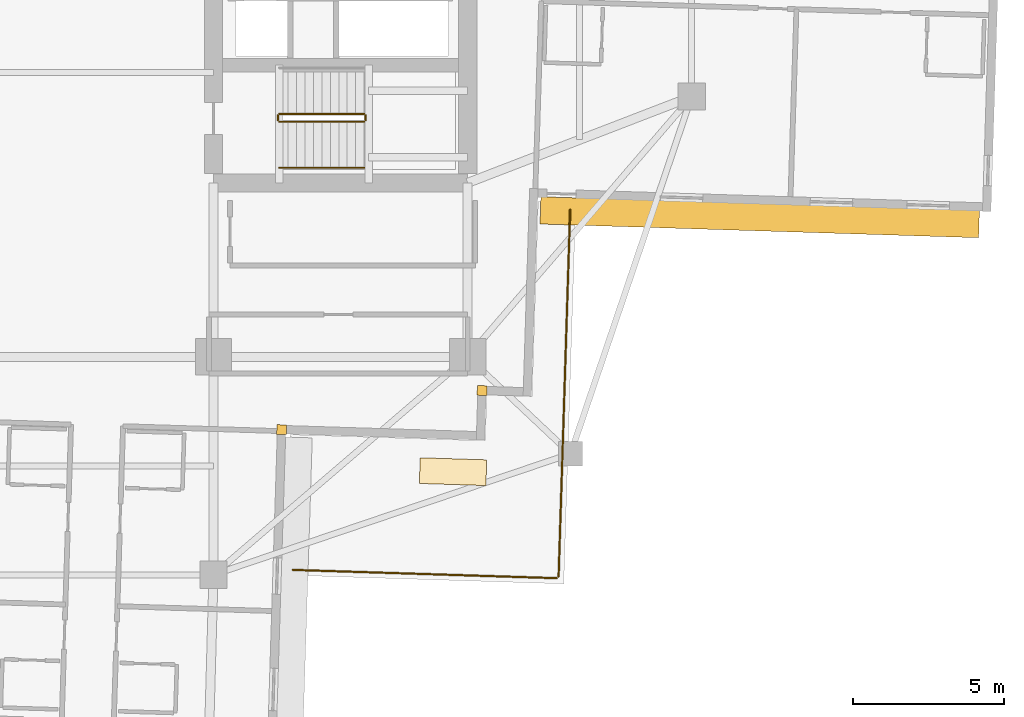
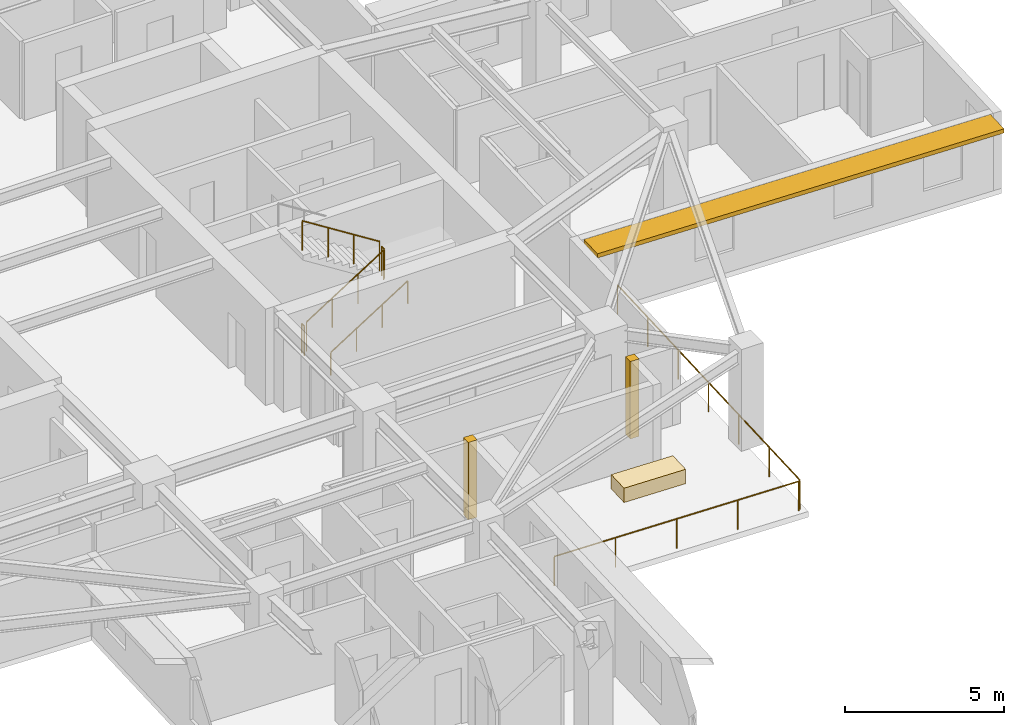
# One storey, part 12 of 14: 7 railings, 3 coverings, 1 shading device.
"""IFC4 building model written with IfcOpenShell, lengths in metres."""

from ifc_helpers import new_model, si_unit, direction, frame, origin, origin_2d, place, context, subcontext, project, spatial, rectangle, circle, extrude, material, layer, layer_set, type_object, element, save


model = new_model("IFC4")

# Units and contexts
model_context = context("Model", 3, precision=1e-05, world=origin(), true_north=direction((0.0, 1.0)))
body_context = subcontext(model_context, "Body", "Model", "MODEL_VIEW")
ifc_project = project(units=[si_unit("LENGTHUNIT", "METRE"), si_unit("AREAUNIT", "SQUARE_METRE"), si_unit("VOLUMEUNIT", "CUBIC_METRE"), si_unit("PLANEANGLEUNIT", "RADIAN"), si_unit("MASSUNIT", "GRAM", prefix="KILO")], contexts=[model_context])

# Site, building, storey
site_placement = place(None, origin())
site = spatial("IfcSite", under=ifc_project, at=site_placement, CompositionType="ELEMENT")
building_placement = place(site_placement, origin())
building = spatial("IfcBuilding", under=site, at=building_placement, Name="Qingluan Cross Belvedere", CompositionType="ELEMENT")
storey_placement = place(building_placement, frame((0.0, 0.0, 176.10009765625)))
storey = spatial("IfcBuildingStorey", under=building, at=storey_placement, Name="L44", CompositionType="ELEMENT", Elevation=176.10009765625)

# Coverings
ifc_material_1 = material(Name="Precast concrete C45", Category="concrete")
ifc_layer_1 = layer(ifc_material_1, 0.1201171875, Name="ConcreteSpandrelCladding_120")
ifc_layer_set_1 = layer_set([ifc_layer_1], Name="Precast concrete C45")
covering_type_1 = type_object("IfcCoveringType", Name="ConcreteSpandrelCladding_120", PredefinedType="CLADDING", material=ifc_layer_set_1)
for number, where, z_axis, x_axis, name in (
    (1, (12.875732421875, -13.711181640625, 0.0), (0.0, 0.0, 1.0), (0.999506560366, -0.031410759078, 0.0), "Corner closure L44-SE1"),
    (2, (6.251708984375, -15.00390625, 0.0), (0.0, 0.0, 1.0), (0.999506560366, -0.031410759078, 0.0), "Corner closure L44-SE2"),
):
    element("IfcCovering", number, at=place(storey_placement, frame(where, z_axis=z_axis, x_axis=x_axis)), inside=storey, type_object=covering_type_1, Name=name, PredefinedType="CLADDING", context=body_context, shape_type="SweptSolid", body=[
        extrude(rectangle(XDim=0.320068359375, YDim=0.320068359375, at=origin_2d()), origin(), (0.0, 0.0, 1.0), 2.969970703125),
    ])

# Shading device
ifc_material_2 = material(Name="Precast concrete C45", Category="concrete")
ifc_layer_2 = layer(ifc_material_2, 0.159912109375, Name="ConcreteSunshadeBand_900")
ifc_layer_set_2 = layer_set([ifc_layer_2], Name="Precast concrete C45")
shading_device_type = type_object("IfcShadingDeviceType", Name="ConcreteSunshadeBand_900", PredefinedType="USERDEFINED", material=ifc_layer_set_2)
shading_device_placement = place(storey_placement, frame((22.050048828125, -7.986572265625, 2.7900390625), z_axis=(0.0, 0.0, 1.0), x_axis=(0.999506645453, -0.031408051437, 0.0)))
element("IfcShadingDevice", 3, at=shading_device_placement, inside=storey, type_object=shading_device_type, Name="Concrete SUNSHADE L44-EA", ObjectType="SUNSHADE", PredefinedType="USERDEFINED", context=body_context, shape_type="SweptSolid", body=[
    extrude(rectangle(XDim=14.5, YDim=0.89990234375, at=origin_2d()), origin(), (0.0, 0.0, 1.0), 0.159912109375),
])

# Railings
ifc_material_3 = material(Name="Brushed stainless steel tubular handrail", Category="steel")
railing_type_1 = type_object("IfcRailingType", Name="StairPitchHandrail_900", PredefinedType="HANDRAIL", material=ifc_material_3)
railing_1_placement = place(storey_placement, frame((6.179931640625, -6.35009765625, 0.17724609375)))
element("IfcRailing", 4, at=railing_1_placement, inside=storey, type_object=railing_type_1, Name="L44 ST2 stair handrail 1", PredefinedType="HANDRAIL", context=body_context, shape_type="SweptSolid", body=[
    extrude(circle(Radius=0.02392578125, at=origin_2d()), frame((0.0, 0.0, 0.8759765625), z_axis=(0.844908973607, 0.0, 0.534910110503), x_axis=(0.0, 1.0, 0.0)), (0.0, 0.0, 1.0), 3.31396484375),
    extrude(circle(Radius=0.02099609375, at=origin_2d()), origin(), (0.0, 0.0, 1.0), 0.851806640625),
    extrude(circle(Radius=0.02099609375, at=origin_2d()), frame((0.933349609375, 0.0, 0.5908203125)), (0.0, 0.0, 1.0), 0.851806640625),
    extrude(circle(Radius=0.02099609375, at=origin_2d()), frame((1.86669921875, 0.0, 1.181884765625)), (0.0, 0.0, 1.0), 0.851806640625),
    extrude(circle(Radius=0.02099609375, at=origin_2d()), frame((2.800048828125, 0.0, 1.772705078125)), (0.0, 0.0, 1.0), 0.851806640625),
])
ifc_material_4 = material(Name="Painted steel stair well guard", Category="steel")
railing_type_2 = type_object("IfcRailingType", Name="StairWellGuard_1150", PredefinedType="BALUSTRADE", material=ifc_material_4)
railing_2_placement = place(storey_placement, frame((6.179931640625, -4.830078125, 0.17724609375)))
element("IfcRailing", 5, at=railing_2_placement, inside=storey, type_object=railing_type_2, Name="L44 ST2 stair guard 1", PredefinedType="BALUSTRADE", context=body_context, shape_type="SweptSolid", body=[
    extrude(circle(Radius=0.02392578125, at=origin_2d()), frame((0.0, 0.0, 1.1259765625), z_axis=(0.844908973607, 0.0, 0.534910110503), x_axis=(0.0, 1.0, 0.0)), (0.0, 0.0, 1.0), 3.31396484375),
    extrude(circle(Radius=0.02099609375, at=origin_2d()), origin(), (0.0, 0.0, 1.0), 1.101806640625),
    extrude(circle(Radius=0.02099609375, at=origin_2d()), frame((0.933349609375, 0.0, 0.5908203125)), (0.0, 0.0, 1.0), 1.101806640625),
    extrude(circle(Radius=0.02099609375, at=origin_2d()), frame((1.86669921875, 0.0, 1.181884765625)), (0.0, 0.0, 1.0), 1.101806640625),
    extrude(circle(Radius=0.02099609375, at=origin_2d()), frame((2.800048828125, 0.0, 1.772705078125)), (0.0, 0.0, 1.0), 1.101806640625),
])
railing_3_placement = place(storey_placement, frame((9.030029296875, -4.780029296875, 1.949951171875)))
element("IfcRailing", 6, at=railing_3_placement, inside=storey, type_object=railing_type_2, Name="L44 ST2 stair guard 2", PredefinedType="BALUSTRADE", context=body_context, shape_type="SweptSolid", body=[
    extrude(circle(Radius=0.02392578125, at=origin_2d()), frame((0.0, 0.0, 1.1259765625), z_axis=(0.0, 1.0, 0.0), x_axis=(-1.0, 0.0, 0.0)), (0.0, 0.0, 1.0), 0.159912109375),
    extrude(circle(Radius=0.02099609375, at=origin_2d()), origin(), (0.0, 0.0, 1.0), 1.101806640625),
    extrude(circle(Radius=0.02099609375, at=origin_2d()), frame((0.0, 0.159912109375, 0.0)), (0.0, 0.0, 1.0), 1.101806640625),
])
railing_4_placement = place(storey_placement, frame((8.97998046875, -4.570068359375, 2.127197265625)))
element("IfcRailing", 7, at=railing_4_placement, inside=storey, type_object=railing_type_2, Name="L44 ST2 stair guard 3", PredefinedType="BALUSTRADE", context=body_context, shape_type="SweptSolid", body=[
    extrude(circle(Radius=0.02392578125, at=origin_2d()), frame((0.0, 0.0, 1.1259765625), z_axis=(-0.844908973607, 0.0, 0.534910110503), x_axis=(0.0, -1.0, 0.0)), (0.0, 0.0, 1.0), 3.31396484375),
    extrude(circle(Radius=0.02099609375, at=origin_2d()), origin(), (0.0, 0.0, 1.0), 1.101806640625),
    extrude(circle(Radius=0.02099609375, at=origin_2d()), frame((-0.933349609375, 0.0, 0.5908203125)), (0.0, 0.0, 1.0), 1.101806640625),
    extrude(circle(Radius=0.02099609375, at=origin_2d()), frame((-1.86669921875, 0.0, 1.181884765625)), (0.0, 0.0, 1.0), 1.101806640625),
    extrude(circle(Radius=0.02099609375, at=origin_2d()), frame((-2.800048828125, 0.0, 1.772705078125)), (0.0, 0.0, 1.0), 1.101806640625),
])
railing_5_placement = place(storey_placement, frame((6.1298828125, -4.780029296875, 0.0)))
element("IfcRailing", 8, at=railing_5_placement, inside=storey, type_object=railing_type_2, Name="L44 ST2 stair guard 4", PredefinedType="BALUSTRADE", context=body_context, shape_type="SweptSolid", body=[
    extrude(circle(Radius=0.02392578125, at=origin_2d()), frame((0.0, 0.0, 1.1259765625), z_axis=(0.0, 1.0, 0.0), x_axis=(-1.0, 0.0, 0.0)), (0.0, 0.0, 1.0), 0.159912109375),
    extrude(circle(Radius=0.02099609375, at=origin_2d()), origin(), (0.0, 0.0, 1.0), 1.101806640625),
    extrude(circle(Radius=0.02099609375, at=origin_2d()), frame((0.0, 0.159912109375, 0.0)), (0.0, 0.0, 1.0), 1.101806640625),
])
ifc_material_5 = material(Name="Laminated glass and stainless steel balustrade", Category="steel")
railing_type_3 = type_object("IfcRailingType", Name="TerraceGuardBalustrade_1150", PredefinedType="BALUSTRADE", material=ifc_material_5)
railing_6_placement = place(storey_placement, frame((15.78466796875, -7.739501953125, 0.0)))
element("IfcRailing", 9, at=railing_6_placement, inside=storey, type_object=railing_type_3, Name="Terrace guard L44-1", PredefinedType="BALUSTRADE", context=body_context, shape_type="SweptSolid", body=[
    extrude(circle(Radius=0.02392578125, at=origin_2d()), frame((0.0, 0.0, 1.1259765625), z_axis=(-0.031403286853, -0.999506795162, 0.0), x_axis=(0.999506795162, -0.031403286853, 0.0)), (0.0, 0.0, 1.0), 12.1201171875),
    extrude(circle(Radius=0.02099609375, at=origin_2d()), origin(), (0.0, 0.0, 1.0), 1.101806640625),
    extrude(circle(Radius=0.02099609375, at=origin_2d()), frame((-0.0634765625, -2.01904296875, 0.0)), (0.0, 0.0, 1.0), 1.101806640625),
    extrude(circle(Radius=0.02099609375, at=origin_2d()), frame((-0.126953125, -4.0380859375, 0.0)), (0.0, 0.0, 1.0), 1.101806640625),
    extrude(circle(Radius=0.02099609375, at=origin_2d()), frame((-0.1904296875, -6.05712890625, 0.0)), (0.0, 0.0, 1.0), 1.101806640625),
    extrude(circle(Radius=0.02099609375, at=origin_2d()), frame((-0.253662109375, -8.076171875, 0.0)), (0.0, 0.0, 1.0), 1.101806640625),
    extrude(circle(Radius=0.02099609375, at=origin_2d()), frame((-0.317138671875, -10.09521484375, 0.0)), (0.0, 0.0, 1.0), 1.101806640625),
    extrude(circle(Radius=0.02099609375, at=origin_2d()), frame((-0.380615234375, -12.1142578125, 0.0)), (0.0, 0.0, 1.0), 1.101806640625),
])
railing_7_placement = place(storey_placement, frame((15.34228515625, -19.91162109375, 0.0)))
element("IfcRailing", 10, at=railing_7_placement, inside=storey, type_object=railing_type_3, Name="Terrace guard L44-2", PredefinedType="BALUSTRADE", context=body_context, shape_type="SweptSolid", body=[
    extrude(circle(Radius=0.02392578125, at=origin_2d()), frame((0.0, 0.0, 1.1259765625), z_axis=(-0.999506488021, 0.031413061052, 0.0), x_axis=(-0.031413061052, -0.999506488021, 0.0)), (0.0, 0.0, 1.0), 8.72021484375),
    extrude(circle(Radius=0.02099609375, at=origin_2d()), origin(), (0.0, 0.0, 1.0), 1.101806640625),
    extrude(circle(Radius=0.02099609375, at=origin_2d()), frame((-2.178955078125, 0.068359375, 0.0)), (0.0, 0.0, 1.0), 1.101806640625),
    extrude(circle(Radius=0.02099609375, at=origin_2d()), frame((-4.35791015625, 0.136962890625, 0.0)), (0.0, 0.0, 1.0), 1.101806640625),
    extrude(circle(Radius=0.02099609375, at=origin_2d()), frame((-6.536865234375, 0.20556640625, 0.0)), (0.0, 0.0, 1.0), 1.101806640625),
    extrude(circle(Radius=0.02099609375, at=origin_2d()), frame((-8.7158203125, 0.27392578125, 0.0)), (0.0, 0.0, 1.0), 1.101806640625),
])

# Covering
ifc_material_6 = material(Name="Precast concrete C40", Category="concrete")
ifc_layer_3 = layer(ifc_material_6, 0.550048828125, Name="TerracePlanterBox")
ifc_layer_set_3 = layer_set([ifc_layer_3], Name="Precast concrete C40")
covering_type_2 = type_object("IfcCoveringType", Name="TerracePlanterBox", PredefinedType="USERDEFINED", material=ifc_layer_set_3)
covering_placement = place(storey_placement, frame((11.916015625, -16.39208984375, 0.0), z_axis=(0.0, 0.0, 1.0), x_axis=(0.999506560366, -0.031410759078, 0.0)))
element("IfcCovering", 11, at=covering_placement, inside=storey, type_object=covering_type_2, Name="Spiralling winter-garden planter L44", ObjectType="PLANTER", PredefinedType="USERDEFINED", context=body_context, shape_type="SweptSolid", body=[
    extrude(rectangle(XDim=2.199951171875, YDim=0.85009765625, at=origin_2d()), origin(), (0.0, 0.0, 1.0), 0.550048828125),
])

save(model, "model.ifc")
